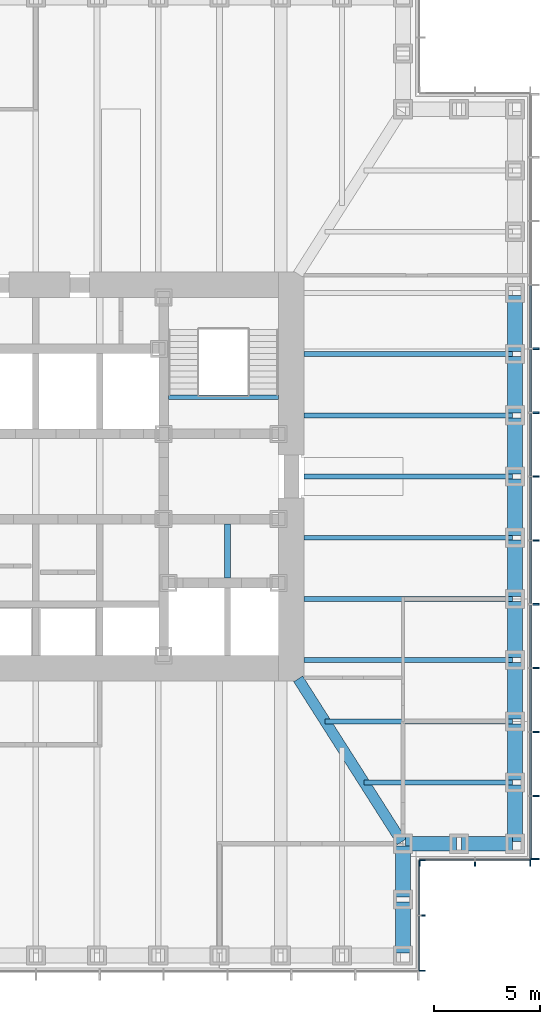
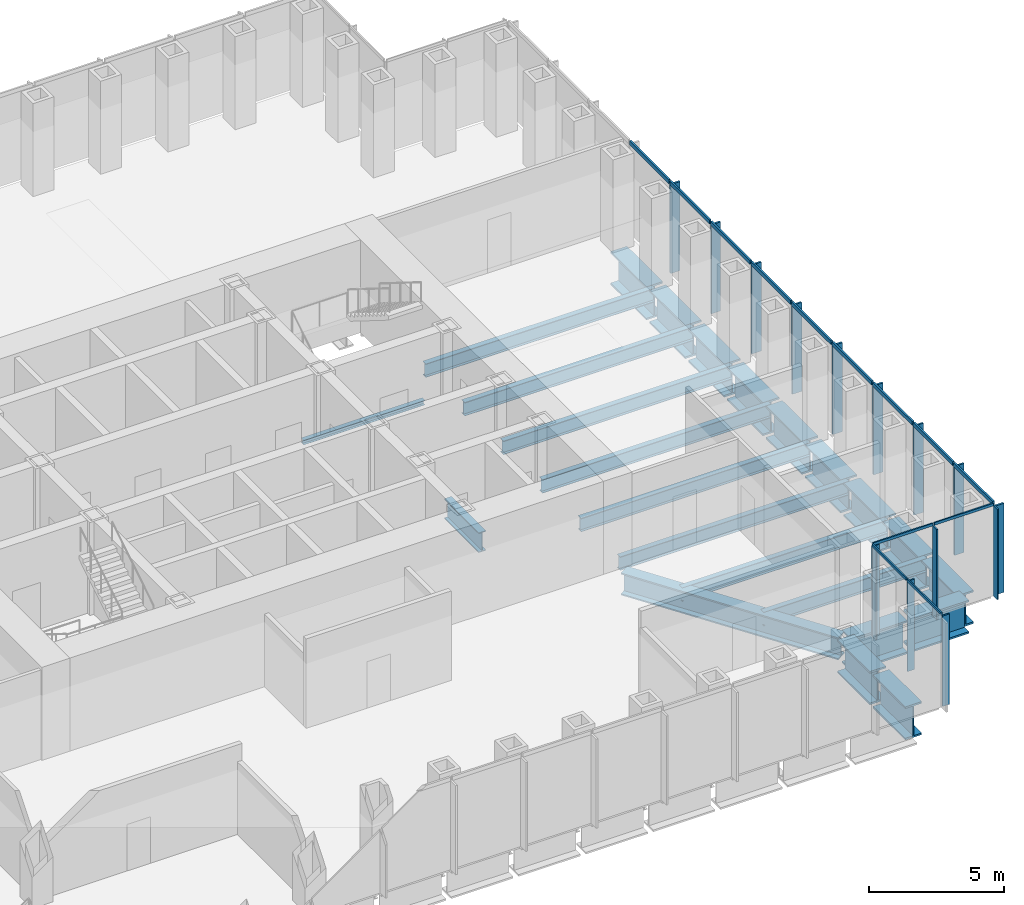
# One storey, part 4 of 16: 28 members, 24 beams, 3 elements without a shape of their own.
"""IFC4 building model written with IfcOpenShell, lengths in metres."""

from ifc_helpers import new_model, si_unit, direction, frame, origin, origin_2d, place, context, subcontext, project, spatial, rectangle, i_section, extrude, material, material_profile, profile_set, type_object, element, aggregate, save


model = new_model("IFC4")

# Units and contexts
model_context = context("Model", 3, precision=1e-05, world=origin(), true_north=direction((0.0, 1.0)))
body_context = subcontext(model_context, "Body", "Model", "MODEL_VIEW")
ifc_project = project(units=[si_unit("LENGTHUNIT", "METRE"), si_unit("AREAUNIT", "SQUARE_METRE"), si_unit("VOLUMEUNIT", "CUBIC_METRE"), si_unit("PLANEANGLEUNIT", "RADIAN"), si_unit("MASSUNIT", "GRAM", prefix="KILO")], contexts=[model_context])

# Site, building, storey
site_placement = place(None, origin())
site = spatial("IfcSite", under=ifc_project, at=site_placement, CompositionType="ELEMENT")
building_placement = place(site_placement, origin())
building = spatial("IfcBuilding", under=site, at=building_placement, Name="Daluyong Arena Tower", CompositionType="ELEMENT")
storey_placement = place(building_placement, frame((0.0, 0.0, 133.300048828125)))
storey = spatial("IfcBuildingStorey", under=building, at=storey_placement, Name="L29", CompositionType="ELEMENT", Elevation=133.300048828125)

# Curtain wall, members
ifc_material_1 = material(Name="Bronze anodised aluminium and glass", Category="aluminium")
curtain_wall_type_1 = type_object("IfcCurtainWallType", Name="Curtain wall CW2", PredefinedType="USERDEFINED", material=ifc_material_1)
curtain_wall_1_placement = place(storey_placement, origin())
curtain_wall_1 = element("IfcCurtainWall", 1, at=curtain_wall_1_placement, inside=storey, type_object=curtain_wall_type_1, Name="curtain wall L29 E", ObjectType="UNITISED CURTAIN WALL", PredefinedType="USERDEFINED")
ifc_material_2 = material(Name="Bronze anodised aluminium fin", Category="aluminium")
ifc_material_profile_1 = material_profile(ifc_material_2, rectangle(XDim=0.39990234375, YDim=0.080078125, at=origin_2d()))
ifc_profile_set_1 = profile_set([ifc_material_profile_1], Name="Bronze anodised aluminium fin")
member_type_1 = type_object("IfcMemberType", Name="CW2 bronze fin 400x80", PredefinedType="MULLION", material=ifc_profile_set_1)
member_1_placement = place(storey_placement, frame((79.449951171875, 62.0400390625, 0.0), z_axis=(0.0, 0.0, 1.0), x_axis=(-1.0, 0.0, 0.0)))
member_1 = element("IfcMember", 2, at=member_1_placement, type_object=member_type_1, Name="curtain wall L29 E fin 1", PredefinedType="MULLION", context=body_context, shape_type="SweptSolid", body=[
    extrude(rectangle(XDim=0.39990234375, YDim=0.080078125, at=origin_2d()), origin(), (0.0, 0.0, 1.0), 4.02001953125),
])
member_2_placement = place(storey_placement, frame((79.449951171875, 65.0, 0.0), z_axis=(0.0, 0.0, 1.0), x_axis=(-1.0, 0.0, 0.0)))
member_2 = element("IfcMember", 3, at=member_2_placement, type_object=member_type_1, Name="curtain wall L29 E fin 2", PredefinedType="MULLION", context=body_context, shape_type="SweptSolid", body=[
    extrude(rectangle(XDim=0.39990234375, YDim=0.080078125, at=origin_2d()), origin(), (0.0, 0.0, 1.0), 4.02001953125),
])
member_3_placement = place(storey_placement, frame((79.449951171875, 68.0, 0.0), z_axis=(0.0, 0.0, 1.0), x_axis=(-1.0, 0.0, 0.0)))
member_3 = element("IfcMember", 4, at=member_3_placement, type_object=member_type_1, Name="curtain wall L29 E fin 3", PredefinedType="MULLION", context=body_context, shape_type="SweptSolid", body=[
    extrude(rectangle(XDim=0.39990234375, YDim=0.080078125, at=origin_2d()), origin(), (0.0, 0.0, 1.0), 4.02001953125),
])
member_4_placement = place(storey_placement, frame((79.449951171875, 71.0, 0.0), z_axis=(0.0, 0.0, 1.0), x_axis=(-1.0, 0.0, 0.0)))
member_4 = element("IfcMember", 5, at=member_4_placement, type_object=member_type_1, Name="curtain wall L29 E fin 4", PredefinedType="MULLION", context=body_context, shape_type="SweptSolid", body=[
    extrude(rectangle(XDim=0.39990234375, YDim=0.080078125, at=origin_2d()), origin(), (0.0, 0.0, 1.0), 4.02001953125),
])
member_5_placement = place(storey_placement, frame((79.449951171875, 74.0, 0.0), z_axis=(0.0, 0.0, 1.0), x_axis=(-1.0, 0.0, 0.0)))
member_5 = element("IfcMember", 6, at=member_5_placement, type_object=member_type_1, Name="curtain wall L29 E fin 5", PredefinedType="MULLION", context=body_context, shape_type="SweptSolid", body=[
    extrude(rectangle(XDim=0.39990234375, YDim=0.080078125, at=origin_2d()), origin(), (0.0, 0.0, 1.0), 4.02001953125),
])
member_6_placement = place(storey_placement, frame((79.449951171875, 77.0, 0.0), z_axis=(0.0, 0.0, 1.0), x_axis=(-1.0, 0.0, 0.0)))
member_6 = element("IfcMember", 7, at=member_6_placement, type_object=member_type_1, Name="curtain wall L29 E fin 6", PredefinedType="MULLION", context=body_context, shape_type="SweptSolid", body=[
    extrude(rectangle(XDim=0.39990234375, YDim=0.080078125, at=origin_2d()), origin(), (0.0, 0.0, 1.0), 4.02001953125),
])
member_7_placement = place(storey_placement, frame((79.449951171875, 80.0, 0.0), z_axis=(0.0, 0.0, 1.0), x_axis=(-1.0, 0.0, 0.0)))
member_7 = element("IfcMember", 8, at=member_7_placement, type_object=member_type_1, Name="curtain wall L29 E fin 7", PredefinedType="MULLION", context=body_context, shape_type="SweptSolid", body=[
    extrude(rectangle(XDim=0.39990234375, YDim=0.080078125, at=origin_2d()), origin(), (0.0, 0.0, 1.0), 4.02001953125),
])
member_8_placement = place(storey_placement, frame((79.449951171875, 83.0, 0.0), z_axis=(0.0, 0.0, 1.0), x_axis=(-1.0, 0.0, 0.0)))
member_8 = element("IfcMember", 9, at=member_8_placement, type_object=member_type_1, Name="curtain wall L29 E fin 8", PredefinedType="MULLION", context=body_context, shape_type="SweptSolid", body=[
    extrude(rectangle(XDim=0.39990234375, YDim=0.080078125, at=origin_2d()), origin(), (0.0, 0.0, 1.0), 4.02001953125),
])
member_9_placement = place(storey_placement, frame((79.449951171875, 86.0, 0.0), z_axis=(0.0, 0.0, 1.0), x_axis=(-1.0, 0.0, 0.0)))
member_9 = element("IfcMember", 10, at=member_9_placement, type_object=member_type_1, Name="curtain wall L29 E fin 9", PredefinedType="MULLION", context=body_context, shape_type="SweptSolid", body=[
    extrude(rectangle(XDim=0.39990234375, YDim=0.080078125, at=origin_2d()), origin(), (0.0, 0.0, 1.0), 4.02001953125),
])
ifc_material_3 = material(Name="Bronze anodised aluminium", Category="aluminium")
ifc_material_profile_2 = material_profile(ifc_material_3, rectangle(XDim=0.080078125, YDim=0.179931640625, at=origin_2d()))
ifc_profile_set_2 = profile_set([ifc_material_profile_2], Name="Bronze anodised aluminium")
member_type_2 = type_object("IfcMemberType", Name="CW2 stack transom 180x80", PredefinedType="USERDEFINED", material=ifc_profile_set_2)
member_10_placement = place(storey_placement, frame((79.25, 62.080078125, 4.10986328125), z_axis=(0.0, 1.0, 0.0), x_axis=(-1.0, 0.0, 0.0)))
member_10 = element("IfcMember", 11, at=member_10_placement, type_object=member_type_2, Name="curtain wall L29 E transom 1", ObjectType="TRANSOM", PredefinedType="USERDEFINED", context=body_context, shape_type="SweptSolid", body=[
    extrude(rectangle(XDim=0.080078125, YDim=0.179931640625, at=origin_2d()), origin(), (0.0, 0.0, 1.0), 2.8798828125),
])
member_11_placement = place(storey_placement, frame((79.25, 65.0400390625, 4.10986328125), z_axis=(0.0, 1.0, 0.0), x_axis=(-1.0, 0.0, 0.0)))
member_11 = element("IfcMember", 12, at=member_11_placement, type_object=member_type_2, Name="curtain wall L29 E transom 2", ObjectType="TRANSOM", PredefinedType="USERDEFINED", context=body_context, shape_type="SweptSolid", body=[
    extrude(rectangle(XDim=0.080078125, YDim=0.179931640625, at=origin_2d()), origin(), (0.0, 0.0, 1.0), 2.919921875),
])
member_12_placement = place(storey_placement, frame((79.25, 68.0400390625, 4.10986328125), z_axis=(0.0, 1.0, 0.0), x_axis=(-1.0, 0.0, 0.0)))
member_12 = element("IfcMember", 13, at=member_12_placement, type_object=member_type_2, Name="curtain wall L29 E transom 3", ObjectType="TRANSOM", PredefinedType="USERDEFINED", context=body_context, shape_type="SweptSolid", body=[
    extrude(rectangle(XDim=0.080078125, YDim=0.179931640625, at=origin_2d()), origin(), (0.0, 0.0, 1.0), 2.919921875),
])
member_13_placement = place(storey_placement, frame((79.25, 71.0400390625, 4.10986328125), z_axis=(0.0, 1.0, 0.0), x_axis=(-1.0, 0.0, 0.0)))
member_13 = element("IfcMember", 14, at=member_13_placement, type_object=member_type_2, Name="curtain wall L29 E transom 4", ObjectType="TRANSOM", PredefinedType="USERDEFINED", context=body_context, shape_type="SweptSolid", body=[
    extrude(rectangle(XDim=0.080078125, YDim=0.179931640625, at=origin_2d()), origin(), (0.0, 0.0, 1.0), 2.919921875),
])
member_14_placement = place(storey_placement, frame((79.25, 74.0400390625, 4.10986328125), z_axis=(0.0, 1.0, 0.0), x_axis=(-1.0, 0.0, 0.0)))
member_14 = element("IfcMember", 15, at=member_14_placement, type_object=member_type_2, Name="curtain wall L29 E transom 5", ObjectType="TRANSOM", PredefinedType="USERDEFINED", context=body_context, shape_type="SweptSolid", body=[
    extrude(rectangle(XDim=0.080078125, YDim=0.179931640625, at=origin_2d()), origin(), (0.0, 0.0, 1.0), 2.919921875),
])
member_15_placement = place(storey_placement, frame((79.25, 77.0400390625, 4.10986328125), z_axis=(0.0, 1.0, 0.0), x_axis=(-1.0, 0.0, 0.0)))
member_15 = element("IfcMember", 16, at=member_15_placement, type_object=member_type_2, Name="curtain wall L29 E transom 6", ObjectType="TRANSOM", PredefinedType="USERDEFINED", context=body_context, shape_type="SweptSolid", body=[
    extrude(rectangle(XDim=0.080078125, YDim=0.179931640625, at=origin_2d()), origin(), (0.0, 0.0, 1.0), 2.919921875),
])
member_16_placement = place(storey_placement, frame((79.25, 80.0400390625, 4.10986328125), z_axis=(0.0, 1.0, 0.0), x_axis=(-1.0, 0.0, 0.0)))
member_16 = element("IfcMember", 17, at=member_16_placement, type_object=member_type_2, Name="curtain wall L29 E transom 7", ObjectType="TRANSOM", PredefinedType="USERDEFINED", context=body_context, shape_type="SweptSolid", body=[
    extrude(rectangle(XDim=0.080078125, YDim=0.179931640625, at=origin_2d()), origin(), (0.0, 0.0, 1.0), 2.919921875),
])
member_17_placement = place(storey_placement, frame((79.25, 83.0400390625, 4.10986328125), z_axis=(0.0, 1.0, 0.0), x_axis=(-1.0, 0.0, 0.0)))
member_17 = element("IfcMember", 18, at=member_17_placement, type_object=member_type_2, Name="curtain wall L29 E transom 8", ObjectType="TRANSOM", PredefinedType="USERDEFINED", context=body_context, shape_type="SweptSolid", body=[
    extrude(rectangle(XDim=0.080078125, YDim=0.179931640625, at=origin_2d()), origin(), (0.0, 0.0, 1.0), 2.919921875),
])
member_18_placement = place(storey_placement, frame((79.25, 86.0400390625, 4.10986328125), z_axis=(0.0, 1.0, 0.0), x_axis=(-1.0, 0.0, 0.0)))
member_18 = element("IfcMember", 19, at=member_18_placement, type_object=member_type_2, Name="curtain wall L29 E transom 9", ObjectType="TRANSOM", PredefinedType="USERDEFINED", context=body_context, shape_type="SweptSolid", body=[
    extrude(rectangle(XDim=0.080078125, YDim=0.179931640625, at=origin_2d()), origin(), (0.0, 0.0, 1.0), 2.919921875),
])
aggregate(curtain_wall_1, [member_1, member_2, member_3, member_4, member_5, member_6, member_7, member_8, member_9, member_10, member_11, member_12, member_13, member_14, member_15, member_16, member_17, member_18])

ifc_material_4 = material(Name="Bronze anodised aluminium and glass", Category="aluminium")
curtain_wall_type_2 = type_object("IfcCurtainWallType", Name="Curtain wall CW7", PredefinedType="USERDEFINED", material=ifc_material_4)
curtain_wall_2_placement = place(storey_placement, origin())
curtain_wall_2 = element("IfcCurtainWall", 20, at=curtain_wall_2_placement, inside=storey, type_object=curtain_wall_type_2, Name="curtain wall L29 SE-E", ObjectType="UNITISED CURTAIN WALL", PredefinedType="USERDEFINED")
ifc_material_5 = material(Name="Bronze anodised aluminium fin", Category="aluminium")
ifc_material_profile_3 = material_profile(ifc_material_5, rectangle(XDim=0.300048828125, YDim=0.06005859375, at=origin_2d()))
ifc_profile_set_3 = profile_set([ifc_material_profile_3], Name="Bronze anodised aluminium fin")
member_type_3 = type_object("IfcMemberType", Name="CW7 bronze fin 300x60", PredefinedType="MULLION", material=ifc_profile_set_3)
member_19_placement = place(storey_placement, frame((74.14990234375, 56.780029296875, 0.0), z_axis=(0.0, 0.0, 1.0), x_axis=(-1.0, 0.0, 0.0)))
member_19 = element("IfcMember", 21, at=member_19_placement, type_object=member_type_3, Name="curtain wall L29 SE-E fin 1", PredefinedType="MULLION", context=body_context, shape_type="SweptSolid", body=[
    extrude(rectangle(XDim=0.300048828125, YDim=0.06005859375, at=origin_2d()), origin(), (0.0, 0.0, 1.0), 4.079833984375),
])
member_20_placement = place(storey_placement, frame((74.14990234375, 59.375, 0.0), z_axis=(0.0, 0.0, 1.0), x_axis=(-1.0, 0.0, 0.0)))
member_20 = element("IfcMember", 22, at=member_20_placement, type_object=member_type_3, Name="curtain wall L29 SE-E fin 2", PredefinedType="MULLION", context=body_context, shape_type="SweptSolid", body=[
    extrude(rectangle(XDim=0.300048828125, YDim=0.06005859375, at=origin_2d()), origin(), (0.0, 0.0, 1.0), 4.079833984375),
])
member_21_placement = place(storey_placement, frame((74.14990234375, 61.969970703125, 0.0), z_axis=(0.0, 0.0, 1.0), x_axis=(-1.0, 0.0, 0.0)))
member_21 = element("IfcMember", 23, at=member_21_placement, type_object=member_type_3, Name="curtain wall L29 SE-E fin 3", PredefinedType="MULLION", context=body_context, shape_type="SweptSolid", body=[
    extrude(rectangle(XDim=0.300048828125, YDim=0.06005859375, at=origin_2d()), origin(), (0.0, 0.0, 1.0), 4.079833984375),
])

curtain_wall_3_placement = place(storey_placement, origin())
curtain_wall_3 = element("IfcCurtainWall", 24, at=curtain_wall_3_placement, inside=storey, type_object=curtain_wall_type_2, Name="curtain wall L29 SE-S", ObjectType="UNITISED CURTAIN WALL", PredefinedType="USERDEFINED")
member_22_placement = place(storey_placement, frame((74.030029296875, 61.85009765625, 0.0), z_axis=(0.0, 0.0, 1.0), x_axis=(0.0, 1.0, 0.0)))
member_22 = element("IfcMember", 25, at=member_22_placement, type_object=member_type_3, Name="curtain wall L29 SE-S fin 1", PredefinedType="MULLION", context=body_context, shape_type="SweptSolid", body=[
    extrude(rectangle(XDim=0.300048828125, YDim=0.06005859375, at=origin_2d()), origin(), (0.0, 0.0, 1.0), 4.079833984375),
])
member_23_placement = place(storey_placement, frame((76.625, 61.85009765625, 0.0), z_axis=(0.0, 0.0, 1.0), x_axis=(0.0, 1.0, 0.0)))
member_23 = element("IfcMember", 26, at=member_23_placement, type_object=member_type_3, Name="curtain wall L29 SE-S fin 2", PredefinedType="MULLION", context=body_context, shape_type="SweptSolid", body=[
    extrude(rectangle(XDim=0.300048828125, YDim=0.06005859375, at=origin_2d()), origin(), (0.0, 0.0, 1.0), 4.079833984375),
])
member_24_placement = place(storey_placement, frame((79.219970703125, 61.85009765625, 0.0), z_axis=(0.0, 0.0, 1.0), x_axis=(0.0, 1.0, 0.0)))
member_24 = element("IfcMember", 27, at=member_24_placement, type_object=member_type_3, Name="curtain wall L29 SE-S fin 3", PredefinedType="MULLION", context=body_context, shape_type="SweptSolid", body=[
    extrude(rectangle(XDim=0.300048828125, YDim=0.06005859375, at=origin_2d()), origin(), (0.0, 0.0, 1.0), 4.079833984375),
])

# Member
ifc_material_6 = material(Name="Bronze anodised aluminium", Category="aluminium")
ifc_material_profile_4 = material_profile(ifc_material_6, rectangle(XDim=0.06005859375, YDim=0.1201171875, at=origin_2d()))
ifc_profile_set_4 = profile_set([ifc_material_profile_4], Name="Bronze anodised aluminium")
member_type_4 = type_object("IfcMemberType", Name="CW7 stack transom 120x60", PredefinedType="USERDEFINED", material=ifc_profile_set_4)
member_25_placement = place(storey_placement, frame((74.0, 56.81005859375, 4.139892578125), z_axis=(0.0, 1.0, 0.0), x_axis=(-1.0, 0.0, 0.0)))
member_25 = element("IfcMember", 28, at=member_25_placement, type_object=member_type_4, Name="curtain wall L29 SE-E transom 1", ObjectType="TRANSOM", PredefinedType="USERDEFINED", context=body_context, shape_type="SweptSolid", body=[
    extrude(rectangle(XDim=0.06005859375, YDim=0.1201171875, at=origin_2d()), origin(), (0.0, 0.0, 1.0), 2.534912109375),
])

member_26_placement = place(storey_placement, frame((74.0, 59.405029296875, 4.139892578125), z_axis=(0.0, 1.0, 0.0), x_axis=(-1.0, 0.0, 0.0)))
member_26 = element("IfcMember", 29, at=member_26_placement, type_object=member_type_4, Name="curtain wall L29 SE-E transom 2", ObjectType="TRANSOM", PredefinedType="USERDEFINED", context=body_context, shape_type="SweptSolid", body=[
    extrude(rectangle(XDim=0.06005859375, YDim=0.1201171875, at=origin_2d()), origin(), (0.0, 0.0, 1.0), 2.534912109375),
])

aggregate(curtain_wall_2, [member_19, member_20, member_21, member_25, member_26])

member_27_placement = place(storey_placement, frame((74.06005859375, 62.0, 4.139892578125), z_axis=(1.0, 0.0, 0.0), x_axis=(0.0, 1.0, 0.0)))
member_27 = element("IfcMember", 30, at=member_27_placement, type_object=member_type_4, Name="curtain wall L29 SE-S transom 1", ObjectType="TRANSOM", PredefinedType="USERDEFINED", context=body_context, shape_type="SweptSolid", body=[
    extrude(rectangle(XDim=0.06005859375, YDim=0.1201171875, at=origin_2d()), origin(), (0.0, 0.0, 1.0), 2.534912109375),
])

member_28_placement = place(storey_placement, frame((76.655029296875, 62.0, 4.139892578125), z_axis=(1.0, 0.0, 0.0), x_axis=(0.0, 1.0, 0.0)))
member_28 = element("IfcMember", 31, at=member_28_placement, type_object=member_type_4, Name="curtain wall L29 SE-S transom 2", ObjectType="TRANSOM", PredefinedType="USERDEFINED", context=body_context, shape_type="SweptSolid", body=[
    extrude(rectangle(XDim=0.06005859375, YDim=0.1201171875, at=origin_2d()), origin(), (0.0, 0.0, 1.0), 2.534912109375),
])

aggregate(curtain_wall_3, [member_22, member_23, member_24, member_27, member_28])

# Beams
ifc_material_7 = material(Name="Steel ASTM A572 Grade 50", Category="steel")
ifc_material_profile_5 = material_profile(ifc_material_7, i_section(OverallWidth=0.5, OverallDepth=1.0, WebThickness=0.03, FlangeThickness=0.06, at=origin_2d()))
ifc_profile_set_5 = profile_set([ifc_material_profile_5], Name="Steel ASTM A572 Grade 50")
beam_type_1 = type_object("IfcBeamType", Name="Corner girder TB1000X500", PredefinedType="BEAM", material=ifc_profile_set_5)
beam_1_placement = place(storey_placement, frame((73.188232421875, 62.846923828125, -0.66015625), z_axis=(-0.536872006459, 0.843663705916, 0.0), x_axis=(-0.843663705916, -0.536872006459, 0.0)))
element("IfcBeam", 32, at=beam_1_placement, inside=storey, type_object=beam_type_1, Name="corner girder DG2", PredefinedType="BEAM", context=body_context, shape_type="SweptSolid", body=[
    extrude(i_section(OverallWidth=0.5, OverallDepth=1.0, WebThickness=0.03, FlangeThickness=0.06, at=origin_2d()), origin(), (0.0, 0.0, 1.0), 9.06396484375),
])
ifc_material_8 = material(Name="Steel ASTM A992 Grade 50", Category="steel")
ifc_material_profile_6 = material_profile(ifc_material_8, i_section(OverallWidth=0.22900390625, OverallDepth=0.612060546875, WebThickness=0.011962890625, FlangeThickness=0.01953125, at=origin_2d()))
ifc_profile_set_6 = profile_set([ifc_material_profile_6], Name="Steel ASTM A992 Grade 50")
beam_type_2 = type_object("IfcBeamType", Name="Floor beam W24X84", PredefinedType="BEAM", material=ifc_profile_set_6)
beam_2_placement = place(storey_placement, frame((78.385009765625, 65.625, -0.466064453125), z_axis=(-1.0, 0.0, 0.0), x_axis=(0.0, -1.0, 0.0)))
element("IfcBeam", 33, at=beam_2_placement, inside=storey, type_object=beam_type_2, Name="floor beam FB3", PredefinedType="BEAM", context=body_context, shape_type="SweptSolid", body=[
    extrude(i_section(OverallWidth=0.22900390625, OverallDepth=0.612060546875, WebThickness=0.011962890625, FlangeThickness=0.01953125, at=origin_2d()), origin(), (0.0, 0.0, 1.0), 6.964599609375),
])
beam_3_placement = place(storey_placement, frame((78.385009765625, 68.5, -0.466064453125), z_axis=(-1.0, 0.0, 0.0), x_axis=(0.0, -1.0, 0.0)))
element("IfcBeam", 34, at=beam_3_placement, inside=storey, type_object=beam_type_2, Name="floor beam FB3", PredefinedType="BEAM", context=body_context, shape_type="SweptSolid", body=[
    extrude(i_section(OverallWidth=0.22900390625, OverallDepth=0.612060546875, WebThickness=0.011962890625, FlangeThickness=0.01953125, at=origin_2d()), origin(), (0.0, 0.0, 1.0), 8.794189453125),
])
for number, where, z_axis, x_axis, name in (
    (35, (78.385009765625, 71.375, -0.466064453125), (-1.0, 0.0, 0.0), (0.0, -1.0, 0.0), "floor beam FB3"),
    (36, (78.385009765625, 74.25, -0.466064453125), (-1.0, 0.0, 0.0), (0.0, -1.0, 0.0), "floor beam FB3"),
    (37, (78.385009765625, 77.125, -0.466064453125), (-1.0, 0.0, 0.0), (0.0, -1.0, 0.0), "floor beam FB3"),
    (38, (78.385009765625, 80.0, -0.466064453125), (-1.0, 0.0, 0.0), (0.0, -1.0, 0.0), "floor beam FB3"),
    (39, (78.385009765625, 82.875, -0.466064453125), (-1.0, 0.0, 0.0), (0.0, -1.0, 0.0), "floor beam FB3"),
    (40, (78.385009765625, 85.75, -0.466064453125), (-1.0, 0.0, 0.0), (0.0, -1.0, 0.0), "floor beam FB3"),
):
    element("IfcBeam", number, at=place(storey_placement, frame(where, z_axis=z_axis, x_axis=x_axis)), inside=storey, type_object=beam_type_2, Name=name, PredefinedType="BEAM", context=body_context, shape_type="SweptSolid", body=[
        extrude(i_section(OverallWidth=0.22900390625, OverallDepth=0.612060546875, WebThickness=0.011962890625, FlangeThickness=0.01953125, at=origin_2d()), origin(), (0.0, 0.0, 1.0), 9.784912109375),
    ])
ifc_material_9 = material(Name="Steel ASTM A572 Grade 50", Category="steel")
ifc_material_profile_7 = material_profile(ifc_material_9, i_section(OverallWidth=0.300048828125, OverallDepth=0.89990234375, WebThickness=0.025, FlangeThickness=0.04, at=origin_2d()))
ifc_profile_set_7 = profile_set([ifc_material_profile_7], Name="Steel ASTM A572 Grade 50")
beam_type_3 = type_object("IfcBeamType", Name="Lift divider beam PG900X300", PredefinedType="BEAM", material=ifc_profile_set_7)
beam_4_placement = place(storey_placement, frame((65.0, 75.22509765625, -0.610107421875), z_axis=(0.0, 1.0, 0.0), x_axis=(-1.0, 0.0, 0.0)))
element("IfcBeam", 41, at=beam_4_placement, inside=storey, type_object=beam_type_3, Name="lift divider beam DB1", PredefinedType="BEAM", context=body_context, shape_type="SweptSolid", body=[
    extrude(i_section(OverallWidth=0.300048828125, OverallDepth=0.89990234375, WebThickness=0.025, FlangeThickness=0.04, at=origin_2d()), origin(), (0.0, 0.0, 1.0), 2.5498046875),
])
ifc_material_10 = material(Name="Steel ASTM A572 Grade 50", Category="steel")
ifc_material_profile_8 = material_profile(ifc_material_10, i_section(OverallWidth=0.699951171875, OverallDepth=1.5, WebThickness=0.04, FlangeThickness=0.08, at=origin_2d()))
ifc_profile_set_8 = profile_set([ifc_material_profile_8], Name="Steel ASTM A572 Grade 50")
beam_type_4 = type_object("IfcBeamType", Name="Spandrel Z2 PG1500X700", PredefinedType="SPANDREL", material=ifc_profile_set_8)
for number, where, z_axis, x_axis, name in (
    (42, (73.25, 57.614990234375, -0.91015625), (0.0, 1.0, 0.0), (-1.0, 0.0, 0.0), "spandrel z2 SB6"),
    (43, (73.25, 60.239990234375, -0.91015625), (0.0, 1.0, 0.0), (-1.0, 0.0, 0.0), "spandrel z2 SB6"),
    (44, (73.364990234375, 62.75, -0.91015625), (1.0, 0.0, 0.0), (0.0, 1.0, 0.0), "spandrel z2 SB6"),
    (45, (75.989990234375, 62.75, -0.91015625), (1.0, 0.0, 0.0), (0.0, 1.0, 0.0), "spandrel z2 SB6"),
):
    element("IfcBeam", number, at=place(storey_placement, frame(where, z_axis=z_axis, x_axis=x_axis)), inside=storey, type_object=beam_type_4, Name=name, PredefinedType="SPANDREL", context=body_context, shape_type="SweptSolid", body=[
        extrude(i_section(OverallWidth=0.699951171875, OverallDepth=1.5, WebThickness=0.04, FlangeThickness=0.08, at=origin_2d()), origin(), (0.0, 0.0, 1.0), 2.39501953125),
    ])
for number, where, z_axis, x_axis, name in (
    (46, (78.5, 62.864990234375, -0.91015625), (0.0, 1.0, 0.0), (-1.0, 0.0, 0.0), "spandrel z2 SB6"),
    (47, (78.5, 65.739990234375, -0.91015625), (0.0, 1.0, 0.0), (-1.0, 0.0, 0.0), "spandrel z2 SB6"),
    (48, (78.5, 68.614990234375, -0.91015625), (0.0, 1.0, 0.0), (-1.0, 0.0, 0.0), "spandrel z2 SB6"),
    (49, (78.5, 71.489990234375, -0.91015625), (0.0, 1.0, 0.0), (-1.0, 0.0, 0.0), "spandrel z2 SB6"),
    (50, (78.5, 74.364990234375, -0.91015625), (0.0, 1.0, 0.0), (-1.0, 0.0, 0.0), "spandrel z2 SB6"),
    (51, (78.5, 77.239990234375, -0.91015625), (0.0, 1.0, 0.0), (-1.0, 0.0, 0.0), "spandrel z2 SB6"),
    (52, (78.5, 80.114990234375, -0.91015625), (0.0, 1.0, 0.0), (-1.0, 0.0, 0.0), "spandrel z2 SB6"),
    (53, (78.5, 82.989990234375, -0.91015625), (0.0, 1.0, 0.0), (-1.0, 0.0, 0.0), "spandrel z2 SB6"),
    (54, (78.5, 85.864990234375, -0.91015625), (0.0, 1.0, 0.0), (-1.0, 0.0, 0.0), "spandrel z2 SB6"),
):
    element("IfcBeam", number, at=place(storey_placement, frame(where, z_axis=z_axis, x_axis=x_axis)), inside=storey, type_object=beam_type_4, Name=name, PredefinedType="SPANDREL", context=body_context, shape_type="SweptSolid", body=[
        extrude(i_section(OverallWidth=0.699951171875, OverallDepth=1.5, WebThickness=0.04, FlangeThickness=0.08, at=origin_2d()), origin(), (0.0, 0.0, 1.0), 2.64501953125),
    ])
ifc_material_11 = material(Name="Steel ASTM A992 Grade 50", Category="steel")
ifc_material_profile_9 = material_profile(ifc_material_11, i_section(OverallWidth=0.203125, OverallDepth=0.203125, WebThickness=0.00732421875, FlangeThickness=0.010986328125, at=origin_2d()))
ifc_profile_set_9 = profile_set([ifc_material_profile_9], Name="Steel ASTM A992 Grade 50")
beam_type_5 = type_object("IfcBeamType", Name="Stair landing beam W8X31", PredefinedType="BEAM", material=ifc_profile_set_9)
beam_5_placement = place(storey_placement, frame((62.22509765625, 83.723388671875, -0.26171875), z_axis=(1.0, 0.0, 0.0), x_axis=(0.0, 1.0, 0.0)))
element("IfcBeam", 55, at=beam_5_placement, inside=storey, type_object=beam_type_5, Name="exit stair B landing beam", PredefinedType="BEAM", context=body_context, shape_type="SweptSolid", body=[
    extrude(i_section(OverallWidth=0.203125, OverallDepth=0.203125, WebThickness=0.00732421875, FlangeThickness=0.010986328125, at=origin_2d()), origin(), (0.0, 0.0, 1.0), 5.1748046875),
])

save(model, "model.ifc")
